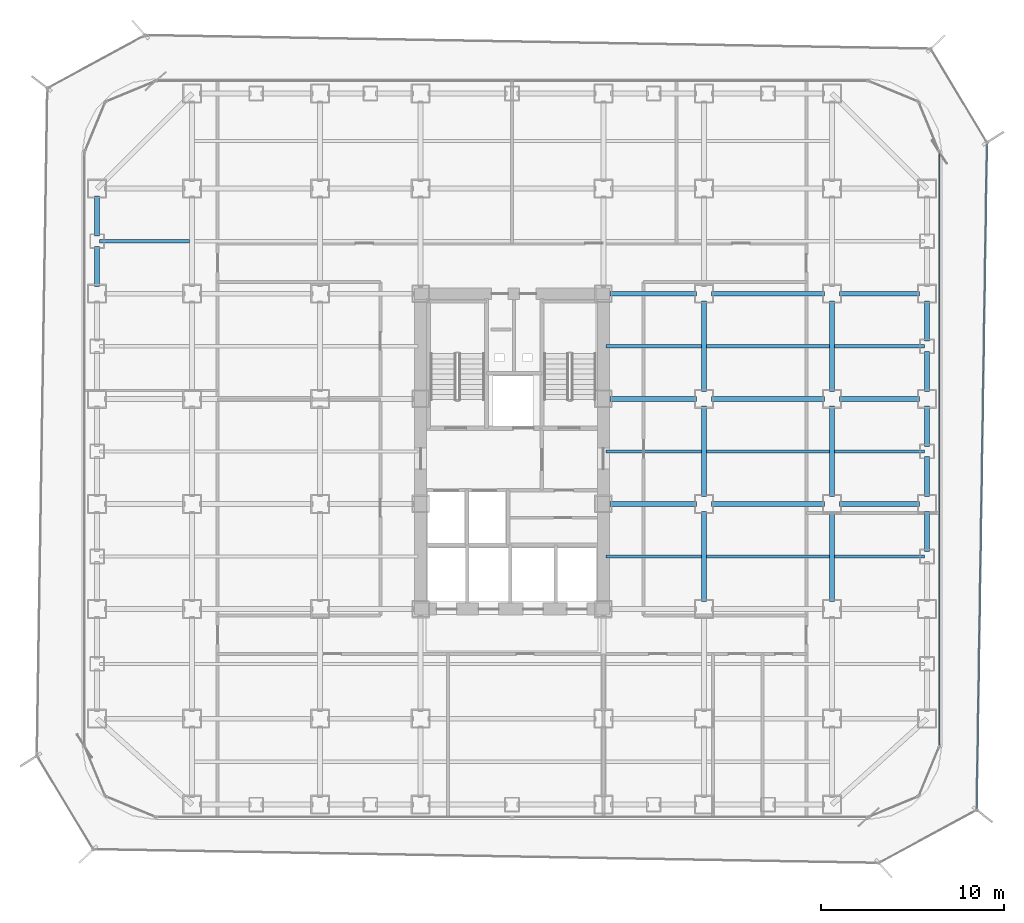
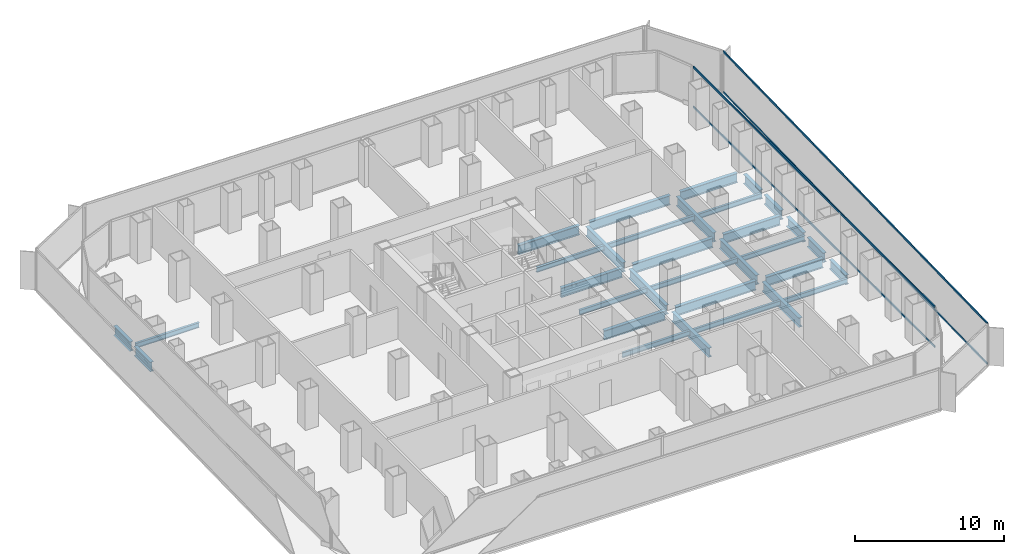
# One storey, part 9 of 21: 32 beams, 4 members, 2 elements without a shape of their own.
"""IFC4 building model written with IfcOpenShell, lengths in metres."""

from ifc_helpers import new_model, si_unit, direction, frame, origin, origin_2d, place, context, subcontext, project, spatial, hollow_rectangle, i_section, extrude, source, transform, mapped, material, layer, layer_set, material_profile, profile_set, type_object, element, aggregate, save


model = new_model("IFC4")

# Units and contexts
model_context = context("Model", 3, precision=1e-05, world=origin(), true_north=direction((0.0, 1.0)))
body_context = subcontext(model_context, "Body", "Model", "MODEL_VIEW")
ifc_project = project(units=[si_unit("LENGTHUNIT", "METRE"), si_unit("AREAUNIT", "SQUARE_METRE"), si_unit("VOLUMEUNIT", "CUBIC_METRE"), si_unit("PLANEANGLEUNIT", "RADIAN"), si_unit("MASSUNIT", "GRAM", prefix="KILO")], contexts=[model_context])

# Site, building, storey
site_placement = place(None, origin())
site = spatial("IfcSite", under=ifc_project, at=site_placement, CompositionType="ELEMENT")
building_placement = place(site_placement, origin())
building = spatial("IfcBuilding", under=site, at=building_placement, Name="Kolveth Station Tower", CompositionType="ELEMENT")
storey_placement = place(building_placement, frame((0.0, 0.0, 36.89990234375)))
storey = spatial("IfcBuildingStorey", under=building, at=storey_placement, Name="L09", CompositionType="ELEMENT", Elevation=36.89990234375)

# Beams
ifc_material_1 = material(Name="Steel S355", Category="steel")
ifc_material_profile_1 = material_profile(ifc_material_1, i_section(OverallWidth=0.26904296875, OverallDepth=0.77490234375, WebThickness=0.01708984375, FlangeThickness=0.0283203125, at=origin_2d()), Name="W760x220")
ifc_profile_set_1 = profile_set([ifc_material_profile_1], Name="Steel S355")
beam_type_1 = type_object("IfcBeamType", Name="Beam_SP1", PredefinedType="SPANDREL", material=ifc_profile_set_1)
shared_shape_1 = source(origin(), body_context, "Body", "SweptSolid", [
    extrude(i_section(OverallWidth=0.26904296875, OverallDepth=0.77490234375, WebThickness=0.01708984375, FlangeThickness=0.0283203125, at=origin_2d()), origin(), (0.0, 0.0, 1.0), 2.2001953125),
])
for number, where, z_axis, x_axis, name in (
    (1, (0.800048828125, 31.89990234375, -0.66748046875), (0.0, 1.0, 0.0), (-1.0, 0.0, 0.0), "L09 Perimeter Spandrel BM-L09-PW-10"),
    (2, (46.199951171875, 20.39990234375, -0.66748046875), (0.0, 1.0, 0.0), (-1.0, 0.0, 0.0), "L09 Perimeter Spandrel BM-L09-PE-6"),
    (3, (46.199951171875, 23.39990234375, -0.66748046875), (0.0, 1.0, 0.0), (-1.0, 0.0, 0.0), "L09 Perimeter Spandrel BM-L09-PE-7"),
):
    element("IfcBeam", number, at=place(storey_placement, frame(where, z_axis=z_axis, x_axis=x_axis)), inside=storey, type_object=beam_type_1, Name=name, PredefinedType="SPANDREL", context=body_context, shape_type="MappedRepresentation", body=[
        mapped(shared_shape_1, transform((0.0, 0.0, 0.0), x_axis=(1.0, 0.0, 0.0), y_axis=(0.0, 1.0, 0.0), z_axis=(0.0, 0.0, 1.0), scale=1.0)),
    ])
shared_shape_2 = source(origin(), body_context, "Body", "SweptSolid", [
    extrude(i_section(OverallWidth=0.26904296875, OverallDepth=0.77490234375, WebThickness=0.01708984375, FlangeThickness=0.0283203125, at=origin_2d()), origin(), (0.0, 0.0, 1.0), 2.190185546875),
])
for number, where, z_axis, x_axis, name in (
    (4, (0.800048828125, 29.14990234375, -0.66748046875), (0.0, 1.0, 0.0), (-1.0, 0.0, 0.0), "L09 Perimeter Spandrel BM-L09-PW-9"),
    (5, (46.199951171875, 14.659912109375, -0.66748046875), (0.0, 1.0, 0.0), (-1.0, 0.0, 0.0), "L09 Perimeter Spandrel BM-L09-PE-4"),
    (6, (46.199951171875, 17.64990234375, -0.66748046875), (0.0, 1.0, 0.0), (-1.0, 0.0, 0.0), "L09 Perimeter Spandrel BM-L09-PE-5"),
    (7, (46.199951171875, 26.159912109375, -0.66748046875), (0.0, 1.0, 0.0), (-1.0, 0.0, 0.0), "L09 Perimeter Spandrel BM-L09-PE-8"),
):
    element("IfcBeam", number, at=place(storey_placement, frame(where, z_axis=z_axis, x_axis=x_axis)), inside=storey, type_object=beam_type_1, Name=name, PredefinedType="SPANDREL", context=body_context, shape_type="MappedRepresentation", body=[
        mapped(shared_shape_2, transform((0.0, 0.0, 0.0), x_axis=(1.0, 0.0, 0.0), y_axis=(0.0, 1.0, 0.0), z_axis=(0.0, 0.0, 1.0), scale=1.0)),
    ])
ifc_material_profile_2 = material_profile(ifc_material_1, i_section(OverallWidth=0.26708984375, OverallDepth=0.76611328125, WebThickness=0.014892578125, FlangeThickness=0.023681640625, at=origin_2d()), Name="W760x185")
ifc_profile_set_2 = profile_set([ifc_material_profile_2], Name="Steel S355")
beam_type_2 = type_object("IfcBeamType", Name="Beam_B3", PredefinedType="BEAM", material=ifc_profile_set_2)
shared_shape_3 = source(origin(), body_context, "Body", "SweptSolid", [
    extrude(i_section(OverallWidth=0.26708984375, OverallDepth=0.76611328125, WebThickness=0.014892578125, FlangeThickness=0.023681640625, at=origin_2d()), origin(), (0.0, 0.0, 1.0), 4.400146484375),
])
for number, where, z_axis, x_axis, name in (
    (8, (41.39990234375, 17.25, -0.662841796875), (1.0, 0.0, 0.0), (0.0, 1.0, 0.0), "L09 Primary Girder BM-L09-GY172-7"),
    (9, (41.39990234375, 23.0, -0.662841796875), (1.0, 0.0, 0.0), (0.0, 1.0, 0.0), "L09 Primary Girder BM-L09-GY230-7"),
    (10, (41.39990234375, 28.75, -0.662841796875), (1.0, 0.0, 0.0), (0.0, 1.0, 0.0), "L09 Primary Girder BM-L09-GY287-7"),
):
    element("IfcBeam", number, at=place(storey_placement, frame(where, z_axis=z_axis, x_axis=x_axis)), inside=storey, type_object=beam_type_2, Name=name, PredefinedType="BEAM", context=body_context, shape_type="MappedRepresentation", body=[
        mapped(shared_shape_3, transform((0.0, 0.0, 0.0), x_axis=(1.0, 0.0, 0.0), y_axis=(0.0, 1.0, 0.0), z_axis=(0.0, 0.0, 1.0), scale=1.0)),
    ])
shared_shape_4 = source(origin(), body_context, "Body", "SweptSolid", [
    extrude(i_section(OverallWidth=0.26708984375, OverallDepth=0.76611328125, WebThickness=0.014892578125, FlangeThickness=0.023681640625, at=origin_2d()), origin(), (0.0, 0.0, 1.0), 6.2001953125),
])
for number, where, z_axis, x_axis, name in (
    (11, (34.39990234375, 17.25, -0.662841796875), (1.0, 0.0, 0.0), (0.0, 1.0, 0.0), "L09 Primary Girder BM-L09-GY172-6"),
    (12, (34.39990234375, 23.0, -0.662841796875), (1.0, 0.0, 0.0), (0.0, 1.0, 0.0), "L09 Primary Girder BM-L09-GY230-6"),
    (13, (34.39990234375, 28.75, -0.662841796875), (1.0, 0.0, 0.0), (0.0, 1.0, 0.0), "L09 Primary Girder BM-L09-GY287-6"),
):
    element("IfcBeam", number, at=place(storey_placement, frame(where, z_axis=z_axis, x_axis=x_axis)), inside=storey, type_object=beam_type_2, Name=name, PredefinedType="BEAM", context=body_context, shape_type="MappedRepresentation", body=[
        mapped(shared_shape_4, transform((0.0, 0.0, 0.0), x_axis=(1.0, 0.0, 0.0), y_axis=(0.0, 1.0, 0.0), z_axis=(0.0, 0.0, 1.0), scale=1.0)),
    ])
shared_shape_5 = source(origin(), body_context, "Body", "SweptSolid", [
    extrude(i_section(OverallWidth=0.26708984375, OverallDepth=0.76611328125, WebThickness=0.014892578125, FlangeThickness=0.023681640625, at=origin_2d()), origin(), (0.0, 0.0, 1.0), 4.739990234375),
])
for number, where, z_axis, x_axis, name in (
    (14, (28.860107421875, 17.25, -0.662841796875), (1.0, 0.0, 0.0), (0.0, 1.0, 0.0), "L09 Primary Girder BM-L09-GY172-5"),
    (15, (28.860107421875, 23.0, -0.662841796875), (1.0, 0.0, 0.0), (0.0, 1.0, 0.0), "L09 Primary Girder BM-L09-GY230-5"),
    (16, (28.860107421875, 28.75, -0.662841796875), (1.0, 0.0, 0.0), (0.0, 1.0, 0.0), "L09 Primary Girder BM-L09-GY287-5"),
):
    element("IfcBeam", number, at=place(storey_placement, frame(where, z_axis=z_axis, x_axis=x_axis)), inside=storey, type_object=beam_type_2, Name=name, PredefinedType="BEAM", context=body_context, shape_type="MappedRepresentation", body=[
        mapped(shared_shape_5, transform((0.0, 0.0, 0.0), x_axis=(1.0, 0.0, 0.0), y_axis=(0.0, 1.0, 0.0), z_axis=(0.0, 0.0, 1.0), scale=1.0)),
    ])
shared_shape_6 = source(origin(), body_context, "Body", "SweptSolid", [
    extrude(i_section(OverallWidth=0.26708984375, OverallDepth=0.76611328125, WebThickness=0.014892578125, FlangeThickness=0.023681640625, at=origin_2d()), origin(), (0.0, 0.0, 1.0), 4.9501953125),
])
for number, where, z_axis, x_axis, name in (
    (17, (34.0, 11.89990234375, -0.662841796875), (0.0, 1.0, 0.0), (-1.0, 0.0, 0.0), "L09 Primary Girder BM-L09-GX340-3"),
    (18, (34.0, 17.64990234375, -0.662841796875), (0.0, 1.0, 0.0), (-1.0, 0.0, 0.0), "L09 Primary Girder BM-L09-GX340-4"),
    (19, (34.0, 23.39990234375, -0.662841796875), (0.0, 1.0, 0.0), (-1.0, 0.0, 0.0), "L09 Primary Girder BM-L09-GX340-5"),
    (20, (41.0, 11.89990234375, -0.662841796875), (0.0, 1.0, 0.0), (-1.0, 0.0, 0.0), "L09 Primary Girder BM-L09-GX410-3"),
    (21, (41.0, 17.64990234375, -0.662841796875), (0.0, 1.0, 0.0), (-1.0, 0.0, 0.0), "L09 Primary Girder BM-L09-GX410-4"),
    (22, (41.0, 23.39990234375, -0.662841796875), (0.0, 1.0, 0.0), (-1.0, 0.0, 0.0), "L09 Primary Girder BM-L09-GX410-5"),
):
    element("IfcBeam", number, at=place(storey_placement, frame(where, z_axis=z_axis, x_axis=x_axis)), inside=storey, type_object=beam_type_2, Name=name, PredefinedType="BEAM", context=body_context, shape_type="MappedRepresentation", body=[
        mapped(shared_shape_6, transform((0.0, 0.0, 0.0), x_axis=(1.0, 0.0, 0.0), y_axis=(0.0, 1.0, 0.0), z_axis=(0.0, 0.0, 1.0), scale=1.0)),
    ])
ifc_material_profile_3 = material_profile(ifc_material_1, i_section(OverallWidth=0.177978515625, OverallDepth=0.406982421875, WebThickness=0.0078125, FlangeThickness=0.0126953125, at=origin_2d()), Name="W410x60")
ifc_profile_set_3 = profile_set([ifc_material_profile_3], Name="Steel S355")
beam_type_3 = type_object("IfcBeamType", Name="Beam_J1", PredefinedType="JOIST", material=ifc_profile_set_3)
shared_shape_7 = source(origin(), body_context, "Body", "SweptSolid", [
    extrude(i_section(OverallWidth=0.177978515625, OverallDepth=0.406982421875, WebThickness=0.0078125, FlangeThickness=0.0126953125, at=origin_2d()), origin(), (0.0, 0.0, 1.0), 4.935791015625),
])
for number, where, z_axis, x_axis, name in (
    (23, (0.9326171875, 31.625, -0.4833984375), (1.0, 0.0, 0.0), (0.0, 1.0, 0.0), "L09 Secondary Joist JST-L09-1-6"),
    (24, (41.131591796875, 14.375, -0.4833984375), (1.0, 0.0, 0.0), (0.0, 1.0, 0.0), "L09 Secondary Joist JST-L09-7-3"),
    (25, (41.131591796875, 20.125, -0.4833984375), (1.0, 0.0, 0.0), (0.0, 1.0, 0.0), "L09 Secondary Joist JST-L09-7-4"),
    (26, (41.131591796875, 25.875, -0.4833984375), (1.0, 0.0, 0.0), (0.0, 1.0, 0.0), "L09 Secondary Joist JST-L09-7-5"),
):
    element("IfcBeam", number, at=place(storey_placement, frame(where, z_axis=z_axis, x_axis=x_axis)), inside=storey, type_object=beam_type_3, Name=name, PredefinedType="JOIST", context=body_context, shape_type="MappedRepresentation", body=[
        mapped(shared_shape_7, transform((0.0, 0.0, 0.0), x_axis=(1.0, 0.0, 0.0), y_axis=(0.0, 1.0, 0.0), z_axis=(0.0, 0.0, 1.0), scale=1.0)),
    ])
shared_shape_8 = source(origin(), body_context, "Body", "SweptSolid", [
    extrude(i_section(OverallWidth=0.177978515625, OverallDepth=0.406982421875, WebThickness=0.0078125, FlangeThickness=0.0126953125, at=origin_2d()), origin(), (0.0, 0.0, 1.0), 6.73681640625),
])
for number, where, z_axis, x_axis, name in (
    (27, (34.131591796875, 14.375, -0.4833984375), (1.0, 0.0, 0.0), (0.0, 1.0, 0.0), "L09 Secondary Joist JST-L09-6-3"),
    (28, (34.131591796875, 20.125, -0.4833984375), (1.0, 0.0, 0.0), (0.0, 1.0, 0.0), "L09 Secondary Joist JST-L09-6-4"),
    (29, (34.131591796875, 25.875, -0.4833984375), (1.0, 0.0, 0.0), (0.0, 1.0, 0.0), "L09 Secondary Joist JST-L09-6-5"),
):
    element("IfcBeam", number, at=place(storey_placement, frame(where, z_axis=z_axis, x_axis=x_axis)), inside=storey, type_object=beam_type_3, Name=name, PredefinedType="JOIST", context=body_context, shape_type="MappedRepresentation", body=[
        mapped(shared_shape_8, transform((0.0, 0.0, 0.0), x_axis=(1.0, 0.0, 0.0), y_axis=(0.0, 1.0, 0.0), z_axis=(0.0, 0.0, 1.0), scale=1.0)),
    ])
shared_shape_9 = source(origin(), body_context, "Body", "SweptSolid", [
    extrude(i_section(OverallWidth=0.177978515625, OverallDepth=0.406982421875, WebThickness=0.0078125, FlangeThickness=0.0126953125, at=origin_2d()), origin(), (0.0, 0.0, 1.0), 5.23681640625),
])
for number, where, z_axis, x_axis, name in (
    (30, (28.631591796875, 14.375, -0.4833984375), (1.0, 0.0, 0.0), (0.0, 1.0, 0.0), "L09 Secondary Joist JST-L09-5-3"),
    (31, (28.631591796875, 20.125, -0.4833984375), (1.0, 0.0, 0.0), (0.0, 1.0, 0.0), "L09 Secondary Joist JST-L09-5-4"),
    (32, (28.631591796875, 25.875, -0.4833984375), (1.0, 0.0, 0.0), (0.0, 1.0, 0.0), "L09 Secondary Joist JST-L09-5-5"),
):
    element("IfcBeam", number, at=place(storey_placement, frame(where, z_axis=z_axis, x_axis=x_axis)), inside=storey, type_object=beam_type_3, Name=name, PredefinedType="JOIST", context=body_context, shape_type="MappedRepresentation", body=[
        mapped(shared_shape_9, transform((0.0, 0.0, 0.0), x_axis=(1.0, 0.0, 0.0), y_axis=(0.0, 1.0, 0.0), z_axis=(0.0, 0.0, 1.0), scale=1.0)),
    ])

# Curtain wall, members
ifc_material_2 = material(Name="Aluminium 6063-T6 and low-E dark glass", Category="aluminium")
ifc_layer_1 = layer(ifc_material_2, 0.179931640625)
ifc_layer_set_1 = layer_set([ifc_layer_1], Name="Aluminium 6063-T6 and low-E dark glass")
curtain_wall_type_1 = type_object("IfcCurtainWallType", Name="CurtainWall_CW-Z1", PredefinedType="NOTDEFINED", material=ifc_layer_set_1)
curtain_wall_1_placement = place(storey_placement, origin())
curtain_wall_1 = element("IfcCurtainWall", 33, at=curtain_wall_1_placement, inside=storey, type_object=curtain_wall_type_1, Name="L09 Inner Thermal Curtain Wall 3", PredefinedType="NOTDEFINED")
ifc_material_3 = material(Name="Black anodized aluminium 6063-T6", Category="aluminium")
ifc_material_profile_4 = material_profile(ifc_material_3, hollow_rectangle(XDim=0.074951171875, YDim=0.159912109375, WallThickness=0.0048828125, at=origin_2d()), Name="ALU-75x160x5")
ifc_profile_set_4 = profile_set([ifc_material_profile_4], Name="Black anodized aluminium 6063-T6")
member_type_1 = type_object("IfcMemberType", Name="Transom_TR1", PredefinedType="USERDEFINED", material=ifc_profile_set_4)
shared_shape_10 = source(origin(), body_context, "Body", "SweptSolid", [
    extrude(hollow_rectangle(XDim=0.074951171875, YDim=0.159912109375, WallThickness=0.0048828125, at=origin_2d()), origin(), (0.0, 0.0, 1.0), 32.35009765625),
])
member_1_placement = place(storey_placement, frame((46.8798828125, 4.074951171875, 0.03759765625), z_axis=(0.0, 1.0, 0.0), x_axis=(-1.0, 0.0, 0.0)))
member_1 = element("IfcMember", 34, at=member_1_placement, type_object=member_type_1, Name="CW-Z1 transom 1.1", ObjectType="TRANSOM", PredefinedType="USERDEFINED", context=body_context, shape_type="MappedRepresentation", body=[
    mapped(shared_shape_10, transform((0.0, 0.0, 0.0), x_axis=(1.0, 0.0, 0.0), y_axis=(0.0, 1.0, 0.0), z_axis=(0.0, 0.0, 1.0), scale=1.0)),
])
member_2_placement = place(storey_placement, frame((46.8798828125, 4.074951171875, 3.28271484375), z_axis=(0.0, 1.0, 0.0), x_axis=(-1.0, 0.0, 0.0)))
member_2 = element("IfcMember", 35, at=member_2_placement, type_object=member_type_1, Name="CW-Z1 transom 1.2", ObjectType="TRANSOM", PredefinedType="USERDEFINED", context=body_context, shape_type="MappedRepresentation", body=[
    mapped(shared_shape_10, transform((0.0, 0.0, 0.0), x_axis=(1.0, 0.0, 0.0), y_axis=(0.0, 1.0, 0.0), z_axis=(0.0, 0.0, 1.0), scale=1.0)),
])
aggregate(curtain_wall_1, [member_1, member_2])

ifc_material_4 = material(Name="Black anodized aluminium 6063-T6 and dark solar glass", Category="aluminium")
ifc_layer_2 = layer(ifc_material_4, 0.159912109375)
ifc_layer_set_2 = layer_set([ifc_layer_2], Name="Black anodized aluminium 6063-T6 and dark solar glass")
curtain_wall_type_2 = type_object("IfcCurtainWallType", Name="OUTER SKIN CW-OS", PredefinedType="NOTDEFINED", material=ifc_layer_set_2)
curtain_wall_2_placement = place(storey_placement, origin())
curtain_wall_2 = element("IfcCurtainWall", 36, at=curtain_wall_2_placement, inside=storey, type_object=curtain_wall_type_2, Name="L09 Outer Ventilated Skin Curtain Wall 2", PredefinedType="NOTDEFINED")
ifc_material_profile_5 = material_profile(ifc_material_3, hollow_rectangle(XDim=0.080078125, YDim=0.14990234375, WallThickness=0.0048828125, at=origin_2d()), Name="ALU-80x150x5")
ifc_profile_set_5 = profile_set([ifc_material_profile_5], Name="Black anodized aluminium 6063-T6")
member_type_2 = type_object("IfcMemberType", Name="Transom_TR-OS", PredefinedType="USERDEFINED", material=ifc_profile_set_5)
shared_shape_11 = source(origin(), body_context, "Body", "SweptSolid", [
    extrude(hollow_rectangle(XDim=0.080078125, YDim=0.14990234375, WallThickness=0.0048828125, at=origin_2d()), origin(), (0.0, 0.0, 1.0), 36.335205078125),
])
member_3_placement = place(storey_placement, frame((48.923095703125, 0.600341796875, 0.0400390625), z_axis=(0.015393543118, 0.999881512395, 0.0), x_axis=(-0.999881512395, 0.015393543118, 0.0)))
member_3 = element("IfcMember", 37, at=member_3_placement, type_object=member_type_2, Name="CW-OS transom 1.1", ObjectType="TRANSOM", PredefinedType="USERDEFINED", context=body_context, shape_type="MappedRepresentation", body=[
    mapped(shared_shape_11, transform((0.0, 0.0, 0.0), x_axis=(1.0, 0.0, 0.0), y_axis=(0.0, 1.0, 0.0), z_axis=(0.0, 0.0, 1.0), scale=1.0)),
])
member_4_placement = place(storey_placement, frame((48.923095703125, 0.600341796875, 3.35009765625), z_axis=(0.015393543118, 0.999881512395, 0.0), x_axis=(-0.999881512395, 0.015393543118, 0.0)))
member_4 = element("IfcMember", 38, at=member_4_placement, type_object=member_type_2, Name="CW-OS transom 1.2", ObjectType="TRANSOM", PredefinedType="USERDEFINED", context=body_context, shape_type="MappedRepresentation", body=[
    mapped(shared_shape_11, transform((0.0, 0.0, 0.0), x_axis=(1.0, 0.0, 0.0), y_axis=(0.0, 1.0, 0.0), z_axis=(0.0, 0.0, 1.0), scale=1.0)),
])
aggregate(curtain_wall_2, [member_3, member_4])

save(model, "model.ifc")
